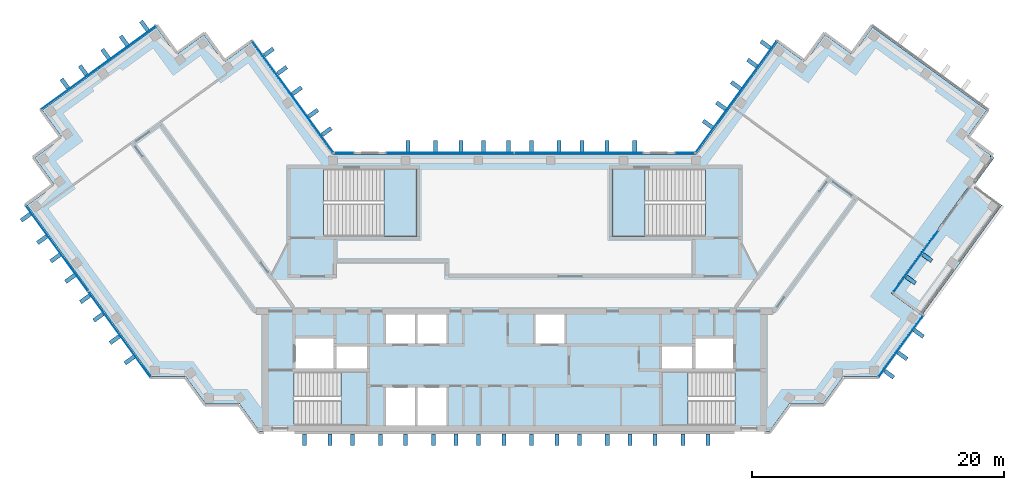
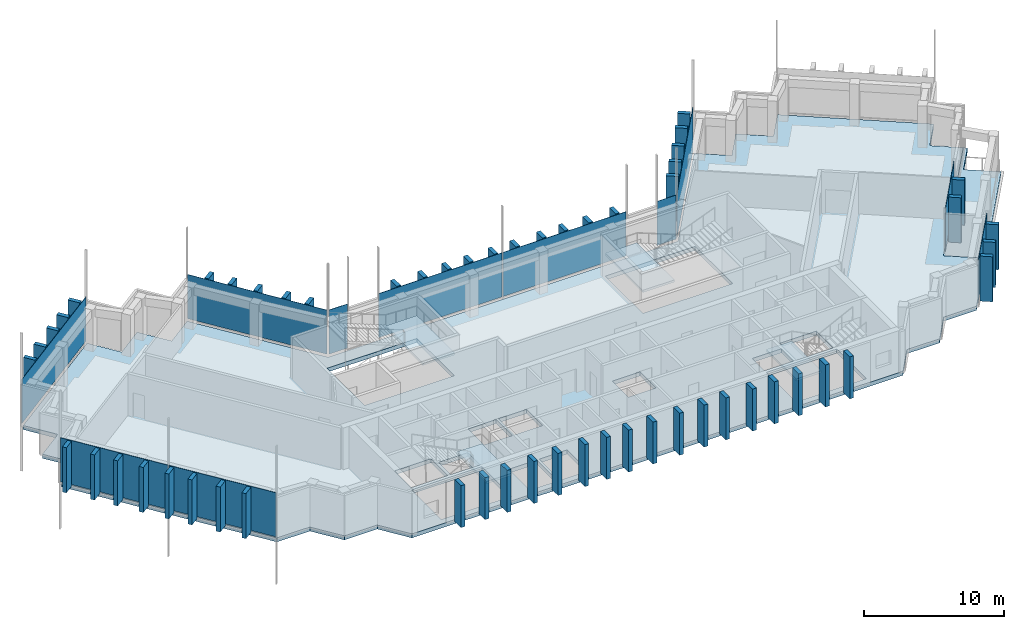
# One storey, part 7 of 14: 66 plates, 6 slabs, 13 elements without a shape of their own.
"""IFC4 building model written with IfcOpenShell, lengths in metres."""

from ifc_helpers import new_model, si_unit, direction, frame, origin, origin_2d, place, context, subcontext, project, spatial, polyline, rectangle, outline, extrude, material, layer, layer_set, type_object, element, aggregate, save


model = new_model("IFC4")

# Units and contexts
model_context = context("Model", 3, precision=1e-05, world=origin(), true_north=direction((0.0, 1.0)))
body_context = subcontext(model_context, "Body", "Model", "MODEL_VIEW")
ifc_project = project(units=[si_unit("LENGTHUNIT", "METRE"), si_unit("AREAUNIT", "SQUARE_METRE"), si_unit("VOLUMEUNIT", "CUBIC_METRE"), si_unit("PLANEANGLEUNIT", "RADIAN"), si_unit("MASSUNIT", "GRAM", prefix="KILO")], contexts=[model_context])

# Site, building, storey
site_placement = place(None, origin())
site = spatial("IfcSite", under=ifc_project, at=site_placement, CompositionType="ELEMENT")
building_placement = place(site_placement, origin())
building = spatial("IfcBuilding", under=site, at=building_placement, Name="Quipu Civic Tower", CompositionType="ELEMENT")
storey_placement = place(building_placement, frame((0.0, 0.0, 311.0)))
storey = spatial("IfcBuildingStorey", under=building, at=storey_placement, Name="L72", CompositionType="ELEMENT", Elevation=311.0)

# Slab
ifc_material_1 = material(Name="Concrete C40/50", Category="concrete")
ifc_layer_1 = layer(ifc_material_1, 0.35009765625)
ifc_layer_set_1 = layer_set([ifc_layer_1], Name="Concrete C40/50")
slab_type_1 = type_object("IfcSlabType", Name="Floor slab 350 C40/50", PredefinedType="FLOOR", material=ifc_layer_set_1)
slab_1_placement = place(storey_placement, frame((0.0, 0.0, -0.35009765625)))
element("IfcSlab", 1, at=slab_1_placement, inside=storey, type_object=slab_type_1, Name="Floor slab L72", PredefinedType="FLOOR", context=body_context, shape_type="SweptSolid", body=[
    extrude(outline(polyline([(24.489990234375, -8.81494140625), (21.7900390625, -8.81494140625), (20.205078125, -11.0), (-20.205078125, -11.0), (-21.7900390625, -8.81494140625), (-24.489990234375, -8.81494140625), (-26.080078125, -6.6298828125), (-28.780029296875, -6.6298828125), (-38.655029296875, 6.965087890625), (-36.469970703125, 8.550048828125), (-38.06005859375, 10.735107421875), (-35.875, 12.320068359375), (-37.4599609375, 14.5048828125), (-28.39990234375, 21.090087890625), (-26.81494140625, 18.905029296875), (-24.6298828125, 20.4951171875), (-23.0400390625, 18.31005859375), (-20.860107421875, 19.89501953125), (-14.39501953125, 11.0), (14.39501953125, 11.0), (20.860107421875, 19.89501953125), (23.0400390625, 18.31005859375), (24.6298828125, 20.4951171875), (26.81494140625, 18.905029296875), (28.39990234375, 21.090087890625), (37.4599609375, 14.5048828125), (35.875, 12.320068359375), (37.81494140625, 10.909912109375), (29.8798828125, -0.010009765625), (32.31005859375, -1.77490234375), (28.780029296875, -6.6298828125), (26.080078125, -6.6298828125), (24.489990234375, -8.81494140625)]), holes=[polyline([(-10.199951171875, -10.5), (-7.89990234375, -10.5), (-7.89990234375, -7.5), (-10.199951171875, -7.5), (-10.199951171875, -10.5)]), polyline([(-7.699951171875, -7.5), (-7.699951171875, -10.5), (-5.39990234375, -10.5), (-5.39990234375, -7.5), (-7.699951171875, -7.5)]), polyline([(-11.705078125, -6.2548828125), (-17.4951171875, -6.2548828125), (-17.4951171875, -10.4951171875), (-11.705078125, -10.4951171875), (-11.705078125, -6.2548828125)]), polyline([(-14.10009765625, -6.0), (-11.699951171875, -6.0), (-11.699951171875, -4.25), (-14.10009765625, -4.25), (-14.10009765625, -6.0)]), polyline([(-17.35009765625, -3.60009765625), (-17.35009765625, -6.0), (-14.35009765625, -6.0), (-14.35009765625, -3.60009765625), (-17.35009765625, -3.60009765625)]), polyline([(-10.199951171875, -1.699951171875), (-10.199951171875, -4.0), (-7.89990234375, -4.0), (-7.89990234375, -1.699951171875), (-10.199951171875, -1.699951171875)]), polyline([(-15.14501953125, 9.844970703125), (-15.14501953125, 4.5048828125), (-7.7548828125, 4.5048828125), (-7.7548828125, 9.844970703125), (-15.14501953125, 9.844970703125)]), polyline([(11.705078125, -10.4951171875), (17.4951171875, -10.4951171875), (17.4951171875, -6.2548828125), (11.705078125, -6.2548828125), (11.705078125, -10.4951171875)]), polyline([(11.699951171875, -4.25), (11.699951171875, -6.0), (14.10009765625, -6.0), (14.10009765625, -4.25), (11.699951171875, -4.25)]), polyline([(14.35009765625, -3.60009765625), (14.35009765625, -6.0), (17.35009765625, -6.0), (17.35009765625, -3.60009765625), (14.35009765625, -3.60009765625)]), polyline([(-7.699951171875, -1.699951171875), (-7.699951171875, -4.0), (-5.39990234375, -4.0), (-5.39990234375, -1.699951171875), (-7.699951171875, -1.699951171875)]), polyline([(1.64990234375, -1.699951171875), (1.64990234375, -4.0), (3.949951171875, -4.0), (3.949951171875, -1.699951171875), (1.64990234375, -1.699951171875)]), polyline([(7.7548828125, 4.5048828125), (15.14501953125, 4.5048828125), (15.14501953125, 9.844970703125), (7.7548828125, 9.844970703125), (7.7548828125, 4.5048828125)])]), origin(), (0.0, 0.0, 1.0), 0.35009765625),
])

# Curtain wall, plate
ifc_material_2 = material(Name="Insulated glass unit", Category="glass")
curtain_wall_type = type_object("IfcCurtainWallType", Name="Office curtain wall CW1", PredefinedType="NOTDEFINED", material=ifc_material_2)
curtain_wall_1_placement = place(storey_placement, origin())
curtain_wall_1 = element("IfcCurtainWall", 2, at=curtain_wall_1_placement, inside=storey, type_object=curtain_wall_type, Name="Office curtain wall CW1 L72 run 1", PredefinedType="NOTDEFINED")
ifc_material_3 = material(Name="Insulated glass unit", Category="glass")
ifc_layer_2 = layer(ifc_material_3, 0.028076171875)
ifc_layer_set_2 = layer_set([ifc_layer_2], Name="Insulated glass unit")
plate_type_1 = type_object("IfcPlateType", Name="Glass panel CW1", PredefinedType="CURTAIN_PANEL", material=ifc_layer_set_2)
plate_1_placement = place(storey_placement, frame((30.638916015625, -4.2412109375, 0.240234375), z_axis=(0.0, 0.0, 1.0), x_axis=(0.587779463525, 0.809021200129, 0.0)))
plate_1 = element("IfcPlate", 3, at=plate_1_placement, type_object=plate_type_1, Name="CW1 panel 1.1", PredefinedType="CURTAIN_PANEL", context=body_context, shape_type="SweptSolid", body=[
    extrude(rectangle(XDim=5.99560546875, YDim=0.028076171875, at=origin_2d()), origin(), (0.0, 0.0, 1.0), 3.679931640625),
])
aggregate(curtain_wall_1, [plate_1])

curtain_wall_2_placement = place(storey_placement, origin())
curtain_wall_2 = element("IfcCurtainWall", 4, at=curtain_wall_2_placement, inside=storey, type_object=curtain_wall_type, Name="Office curtain wall CW1 L72 run 3", PredefinedType="NOTDEFINED")
plate_2_placement = place(storey_placement, frame((31.843017578125, 2.519775390625, 0.240234375), z_axis=(0.0, 0.0, 1.0), x_axis=(0.587787992023, 0.809015003837, 0.0)))
plate_2 = element("IfcPlate", 5, at=plate_2_placement, type_object=plate_type_1, Name="CW1 panel 1.1", PredefinedType="CURTAIN_PANEL", context=body_context, shape_type="SweptSolid", body=[
    extrude(rectangle(XDim=6.03955078125, YDim=0.028076171875, at=origin_2d()), origin(), (0.0, 0.0, 1.0), 3.679931640625),
])
aggregate(curtain_wall_2, [plate_2])

curtain_wall_3_placement = place(storey_placement, origin())
curtain_wall_3 = element("IfcCurtainWall", 6, at=curtain_wall_3_placement, inside=storey, type_object=curtain_wall_type, Name="Office curtain wall CW1 L71 run 11", PredefinedType="NOTDEFINED")
plate_3_placement = place(storey_placement, frame((17.590087890625, 15.5673828125, 0.16015625), z_axis=(0.0, 0.0, 1.0), x_axis=(-0.587787771652, -0.809015163947, 0.0)))
plate_3 = element("IfcPlate", 7, at=plate_3_placement, type_object=plate_type_1, Name="CW1 panel 1.2", PredefinedType="CURTAIN_PANEL", context=body_context, shape_type="SweptSolid", body=[
    extrude(rectangle(XDim=10.88427734375, YDim=0.028076171875, at=origin_2d()), origin(), (0.0, 0.0, 1.0), 3.840087890625),
])
aggregate(curtain_wall_3, [plate_3])

curtain_wall_4_placement = place(storey_placement, origin())
curtain_wall_4 = element("IfcCurtainWall", 8, at=curtain_wall_4_placement, inside=storey, type_object=curtain_wall_type, Name="Office curtain wall CW1 L71 run 12", PredefinedType="NOTDEFINED")
plate_4_placement = place(storey_placement, frame((13.49951171875, 11.10009765625, 0.16015625), z_axis=(0.0, 0.0, 1.0), x_axis=(-1.0, 0.0, 0.0)))
plate_4 = element("IfcPlate", 9, at=plate_4_placement, type_object=plate_type_1, Name="CW1 panel 1.2", PredefinedType="CURTAIN_PANEL", context=body_context, shape_type="SweptSolid", body=[
    extrude(rectangle(XDim=1.529296875, YDim=0.028076171875, at=origin_2d()), origin(), (0.0, 0.0, 1.0), 3.840087890625),
])
aggregate(curtain_wall_4, [plate_4])

# Curtain wall, plates
curtain_wall_5_placement = place(storey_placement, origin())
curtain_wall_5 = element("IfcCurtainWall", 10, at=curtain_wall_5_placement, inside=storey, type_object=curtain_wall_type, Name="Office curtain wall CW1 L71 run 14", PredefinedType="NOTDEFINED")
plate_5_placement = place(storey_placement, frame((5.11181640625, 11.10009765625, 0.16015625), z_axis=(0.0, 0.0, 1.0), x_axis=(-1.0, 0.0, 0.0)))
plate_5 = element("IfcPlate", 11, at=plate_5_placement, type_object=plate_type_1, Name="CW1 panel 1.2", PredefinedType="CURTAIN_PANEL", context=body_context, shape_type="SweptSolid", body=[
    extrude(rectangle(XDim=10.1435546875, YDim=0.028076171875, at=origin_2d()), origin(), (0.0, 0.0, 1.0), 3.840087890625),
])
plate_6_placement = place(storey_placement, frame((-5.11181640625, 11.10009765625, 0.16015625), z_axis=(0.0, 0.0, 1.0), x_axis=(-1.0, 0.0, 0.0)))
plate_6 = element("IfcPlate", 12, at=plate_6_placement, type_object=plate_type_1, Name="CW1 panel 2.2", PredefinedType="CURTAIN_PANEL", context=body_context, shape_type="SweptSolid", body=[
    extrude(rectangle(XDim=10.1435546875, YDim=0.028076171875, at=origin_2d()), origin(), (0.0, 0.0, 1.0), 3.840087890625),
])
aggregate(curtain_wall_5, [plate_5, plate_6])

# Curtain wall, plate
curtain_wall_6_placement = place(storey_placement, origin())
curtain_wall_6 = element("IfcCurtainWall", 13, at=curtain_wall_6_placement, inside=storey, type_object=curtain_wall_type, Name="Office curtain wall CW1 L71 run 16", PredefinedType="NOTDEFINED")
plate_7_placement = place(storey_placement, frame((-13.49951171875, 11.10009765625, 0.16015625), z_axis=(0.0, 0.0, 1.0), x_axis=(-1.0, 0.0, 0.0)))
plate_7 = element("IfcPlate", 14, at=plate_7_placement, type_object=plate_type_1, Name="CW1 panel 1.2", PredefinedType="CURTAIN_PANEL", context=body_context, shape_type="SweptSolid", body=[
    extrude(rectangle(XDim=1.529296875, YDim=0.028076171875, at=origin_2d()), origin(), (0.0, 0.0, 1.0), 3.840087890625),
])
aggregate(curtain_wall_6, [plate_7])

curtain_wall_7_placement = place(storey_placement, origin())
curtain_wall_7 = element("IfcCurtainWall", 15, at=curtain_wall_7_placement, inside=storey, type_object=curtain_wall_type, Name="Office curtain wall CW1 L71 run 17", PredefinedType="NOTDEFINED")
plate_8_placement = place(storey_placement, frame((-17.590087890625, 15.5673828125, 0.16015625), z_axis=(0.0, 0.0, 1.0), x_axis=(-0.587787771652, 0.809015163947, 0.0)))
plate_8 = element("IfcPlate", 16, at=plate_8_placement, type_object=plate_type_1, Name="CW1 panel 1.2", PredefinedType="CURTAIN_PANEL", context=body_context, shape_type="SweptSolid", body=[
    extrude(rectangle(XDim=10.88427734375, YDim=0.028076171875, at=origin_2d()), origin(), (0.0, 0.0, 1.0), 3.840087890625),
])
aggregate(curtain_wall_7, [plate_8])

curtain_wall_8_placement = place(storey_placement, origin())
curtain_wall_8 = element("IfcCurtainWall", 17, at=curtain_wall_8_placement, inside=storey, type_object=curtain_wall_type, Name="Office curtain wall CW1 L71 run 22", PredefinedType="NOTDEFINED")
plate_9_placement = place(storey_placement, frame((-32.989990234375, 17.87939453125, 0.16015625), z_axis=(0.0, 0.0, 1.0), x_axis=(-0.809015176832, -0.587787753918, 0.0)))
plate_9 = element("IfcPlate", 18, at=plate_9_placement, type_object=plate_type_1, Name="CW1 panel 1.2", PredefinedType="CURTAIN_PANEL", context=body_context, shape_type="SweptSolid", body=[
    extrude(rectangle(XDim=11.239990234375, YDim=0.028076171875, at=origin_2d()), origin(), (0.0, 0.0, 1.0), 3.840087890625),
])
aggregate(curtain_wall_8, [plate_9])

# Curtain wall, plates
curtain_wall_9_placement = place(storey_placement, origin())
curtain_wall_9 = element("IfcCurtainWall", 19, at=curtain_wall_9_placement, inside=storey, type_object=curtain_wall_type, Name="Office curtain wall CW1 L71 run 27", PredefinedType="NOTDEFINED")
plate_10_placement = place(storey_placement, frame((-36.292724609375, 3.54052734375, 0.16015625), z_axis=(0.0, 0.0, 1.0), x_axis=(0.587786237643, -0.809016278475, 0.0)))
plate_10 = element("IfcPlate", 20, at=plate_10_placement, type_object=plate_type_1, Name="CW1 panel 1.2", PredefinedType="CURTAIN_PANEL", context=body_context, shape_type="SweptSolid", body=[
    extrude(rectangle(XDim=8.35791015625, YDim=0.028076171875, at=origin_2d()), origin(), (0.0, 0.0, 1.0), 3.840087890625),
])
plate_11_placement = place(storey_placement, frame((-31.333251953125, -3.285888671875, 0.16015625), z_axis=(0.0, 0.0, 1.0), x_axis=(0.587786237643, -0.809016278475, 0.0)))
plate_11 = element("IfcPlate", 21, at=plate_11_placement, type_object=plate_type_1, Name="CW1 panel 2.2", PredefinedType="CURTAIN_PANEL", context=body_context, shape_type="SweptSolid", body=[
    extrude(rectangle(XDim=8.35791015625, YDim=0.028076171875, at=origin_2d()), origin(), (0.0, 0.0, 1.0), 3.840087890625),
])
aggregate(curtain_wall_9, [plate_10, plate_11])

# Plates
ifc_material_4 = material(Name="Precast concrete C40/50", Category="concrete")
plate_type_2 = type_object("IfcPlateType", Name="Precast fin F3", PredefinedType="SHEET", material=ifc_material_4)
for number, where, z_axis, x_axis, name in (
    (22, (29.721923828125, -6.43896484375, 0.080078125), (0.0, 0.0, 1.0), (0.587780499868, 0.809020447192, 0.0), "Precast fin F3 L72.1.1"),
    (23, (30.780029296875, -4.982666015625, 0.080078125), (0.0, 0.0, 1.0), (0.587780499868, 0.809020447192, 0.0), "Precast fin F3 L72.1.2"),
    (24, (32.072998046875, -3.202880859375, 0.080078125), (0.0, 0.0, 1.0), (0.587780499868, 0.809020447192, 0.0), "Precast fin F3 L72.1.3"),
    (25, (31.441650390625, 1.03173828125, 0.080078125), (0.0, 0.0, 1.0), (0.587786244816, 0.809016273264, 0.0), "Precast fin F3 L72.3.1"),
    (26, (32.73486328125, 2.8115234375, 0.080078125), (0.0, 0.0, 1.0), (0.587786244816, 0.809016273264, 0.0), "Precast fin F3 L72.3.2"),
    (27, (19.914794921875, 19.702880859375, 0.080078125), (0.0, 0.0, 1.0), (-0.58778443384, -0.809017589015, 0.0), "Precast fin F3 L72.P07.1"),
    (28, (18.856689453125, 18.246826171875, 0.080078125), (0.0, 0.0, 1.0), (-0.58778443384, -0.809017589015, 0.0), "Precast fin F3 L72.P07.2"),
    (29, (17.563720703125, 16.466796875, 0.080078125), (0.0, 0.0, 1.0), (-0.58778443384, -0.809017589015, 0.0), "Precast fin F3 L72.P07.3"),
    (30, (16.38818359375, 14.848876953125, 0.080078125), (0.0, 0.0, 1.0), (-0.58778443384, -0.809017589015, 0.0), "Precast fin F3 L72.P07.4"),
    (31, (15.330078125, 13.392578125, 0.080078125), (0.0, 0.0, 1.0), (-0.58778443384, -0.809017589015, 0.0), "Precast fin F3 L72.P07.5"),
    (32, (9.5400390625, 11.64990234375, 0.080078125), (0.0, 0.0, 1.0), (-1.0, 0.0, 0.0), "Precast fin F3 L72.P10.1"),
    (33, (7.340087890625, 11.64990234375, 0.080078125), (0.0, 0.0, 1.0), (-1.0, 0.0, 0.0), "Precast fin F3 L72.P10.2"),
    (34, (5.340087890625, 11.64990234375, 0.080078125), (0.0, 0.0, 1.0), (-1.0, 0.0, 0.0), "Precast fin F3 L72.P10.3"),
    (35, (3.5400390625, 11.64990234375, 0.080078125), (0.0, 0.0, 1.0), (-1.0, 0.0, 0.0), "Precast fin F3 L72.P10.4"),
    (36, (1.340087890625, 11.64990234375, 0.080078125), (0.0, 0.0, 1.0), (-1.0, 0.0, 0.0), "Precast fin F3 L72.P10.5"),
    (37, (-0.4599609375, 11.64990234375, 0.080078125), (0.0, 0.0, 1.0), (-1.0, 0.0, 0.0), "Precast fin F3 L72.P10.6"),
    (38, (-2.4599609375, 11.64990234375, 0.080078125), (0.0, 0.0, 1.0), (-1.0, 0.0, 0.0), "Precast fin F3 L72.P10.7"),
    (39, (-4.260009765625, 11.64990234375, 0.080078125), (0.0, 0.0, 1.0), (-1.0, 0.0, 0.0), "Precast fin F3 L72.P10.8"),
    (40, (-6.260009765625, 11.64990234375, 0.080078125), (0.0, 0.0, 1.0), (-1.0, 0.0, 0.0), "Precast fin F3 L72.P10.9"),
    (41, (-8.4599609375, 11.64990234375, 0.080078125), (0.0, 0.0, 1.0), (-1.0, 0.0, 0.0), "Precast fin F3 L72.P10.10"),
    (42, (-14.90380859375, 12.805908203125, 0.080078125), (0.0, 0.0, 1.0), (-0.58778443384, 0.809017589015, 0.0), "Precast fin F3 L72.P13.1"),
    (43, (-15.9619140625, 14.26220703125, 0.080078125), (0.0, 0.0, 1.0), (-0.58778443384, 0.809017589015, 0.0), "Precast fin F3 L72.P13.2"),
    (44, (-17.2548828125, 16.0419921875, 0.080078125), (0.0, 0.0, 1.0), (-0.58778443384, 0.809017589015, 0.0), "Precast fin F3 L72.P13.3"),
    (45, (-18.4306640625, 17.66015625, 0.080078125), (0.0, 0.0, 1.0), (-0.58778443384, 0.809017589015, 0.0), "Precast fin F3 L72.P13.4"),
    (46, (-19.488525390625, 19.1162109375, 0.080078125), (0.0, 0.0, 1.0), (-0.58778443384, 0.809017589015, 0.0), "Precast fin F3 L72.P13.5"),
    (47, (-29.357177734375, 21.198486328125, 0.080078125), (0.0, 0.0, 1.0), (-0.809017072762, -0.587785144401, 0.0), "Precast fin F3 L72.P18.1"),
    (48, (-30.975341796875, 20.02294921875, 0.080078125), (0.0, 0.0, 1.0), (-0.809017072762, -0.587785144401, 0.0), "Precast fin F3 L72.P18.2"),
    (49, (-32.431640625, 18.96484375, 0.080078125), (0.0, 0.0, 1.0), (-0.809017072762, -0.587785144401, 0.0), "Precast fin F3 L72.P18.3"),
    (50, (-34.21142578125, 17.671875, 0.080078125), (0.0, 0.0, 1.0), (-0.809017072762, -0.587785144401, 0.0), "Precast fin F3 L72.P18.4"),
    (51, (-35.66748046875, 16.61376953125, 0.080078125), (0.0, 0.0, 1.0), (-0.809017072762, -0.587785144401, 0.0), "Precast fin F3 L72.P18.5"),
    (52, (-38.764892578125, 6.007568359375, 0.080078125), (0.0, 0.0, 1.0), (0.587786668783, -0.809015965233, 0.0), "Precast fin F3 L72.P23.1"),
    (53, (-37.4716796875, 4.227783203125, 0.080078125), (0.0, 0.0, 1.0), (0.587786668783, -0.809015965233, 0.0), "Precast fin F3 L72.P23.2"),
    (54, (-36.413818359375, 2.771484375, 0.080078125), (0.0, 0.0, 1.0), (0.587786668783, -0.809015965233, 0.0), "Precast fin F3 L72.P23.3"),
    (55, (-35.23828125, 1.1533203125, 0.080078125), (0.0, 0.0, 1.0), (0.587786668783, -0.809015965233, 0.0), "Precast fin F3 L72.P23.4"),
    (56, (-34.062744140625, -0.464599609375, 0.080078125), (0.0, 0.0, 1.0), (0.587786668783, -0.809015965233, 0.0), "Precast fin F3 L72.P23.5"),
    (57, (-33.004638671875, -1.9208984375, 0.080078125), (0.0, 0.0, 1.0), (0.587786668783, -0.809015965233, 0.0), "Precast fin F3 L72.P23.6"),
    (58, (-31.71142578125, -3.70068359375, 0.080078125), (0.0, 0.0, 1.0), (0.587786668783, -0.809015965233, 0.0), "Precast fin F3 L72.P23.7"),
    (59, (-30.535888671875, -5.318603515625, 0.080078125), (0.0, 0.0, 1.0), (0.587786668783, -0.809015965233, 0.0), "Precast fin F3 L72.P23.8"),
):
    element("IfcPlate", number, at=place(storey_placement, frame(where, z_axis=z_axis, x_axis=x_axis)), inside=storey, type_object=plate_type_2, Name=name, PredefinedType="SHEET", context=body_context, shape_type="SweptSolid", body=[
        extrude(rectangle(XDim=0.320068359375, YDim=0.89990234375, at=origin_2d()), origin(), (0.0, 0.0, 1.0), 3.919921875),
    ])
for number, where, z_axis, x_axis, name in (
    (60, (-16.639892578125, -11.637939453125, 0.0), (0.0, 0.0, 1.0), (1.0, 0.0, 0.0), "Precast fin F3 L72.P30.1"),
    (61, (-14.639892578125, -11.637939453125, 0.0), (0.0, 0.0, 1.0), (1.0, 0.0, 0.0), "Precast fin F3 L72.P30.2"),
    (62, (-12.840087890625, -11.637939453125, 0.0), (0.0, 0.0, 1.0), (1.0, 0.0, 0.0), "Precast fin F3 L72.P30.3"),
    (63, (-10.639892578125, -11.637939453125, 0.0), (0.0, 0.0, 1.0), (1.0, 0.0, 0.0), "Precast fin F3 L72.P30.4"),
    (64, (-8.639892578125, -11.637939453125, 0.0), (0.0, 0.0, 1.0), (1.0, 0.0, 0.0), "Precast fin F3 L72.P30.5"),
    (65, (-6.43994140625, -11.637939453125, 0.0), (0.0, 0.0, 1.0), (1.0, 0.0, 0.0), "Precast fin F3 L72.P30.6"),
    (66, (-4.639892578125, -11.637939453125, 0.0), (0.0, 0.0, 1.0), (1.0, 0.0, 0.0), "Precast fin F3 L72.P30.7"),
    (67, (-2.840087890625, -11.637939453125, 0.0), (0.0, 0.0, 1.0), (1.0, 0.0, 0.0), "Precast fin F3 L72.P30.8"),
    (68, (-0.840087890625, -11.637939453125, 0.0), (0.0, 0.0, 1.0), (1.0, 0.0, 0.0), "Precast fin F3 L72.P30.9"),
    (69, (1.360107421875, -11.637939453125, 0.0), (0.0, 0.0, 1.0), (1.0, 0.0, 0.0), "Precast fin F3 L72.P30.10"),
    (70, (3.360107421875, -11.637939453125, 0.0), (0.0, 0.0, 1.0), (1.0, 0.0, 0.0), "Precast fin F3 L72.P30.11"),
    (71, (5.159912109375, -11.637939453125, 0.0), (0.0, 0.0, 1.0), (1.0, 0.0, 0.0), "Precast fin F3 L72.P30.12"),
    (72, (7.360107421875, -11.637939453125, 0.0), (0.0, 0.0, 1.0), (1.0, 0.0, 0.0), "Precast fin F3 L72.P30.13"),
    (73, (9.159912109375, -11.637939453125, 0.0), (0.0, 0.0, 1.0), (1.0, 0.0, 0.0), "Precast fin F3 L72.P30.14"),
    (74, (11.159912109375, -11.637939453125, 0.0), (0.0, 0.0, 1.0), (1.0, 0.0, 0.0), "Precast fin F3 L72.P30.15"),
    (75, (13.360107421875, -11.637939453125, 0.0), (0.0, 0.0, 1.0), (1.0, 0.0, 0.0), "Precast fin F3 L72.P30.16"),
    (76, (15.360107421875, -11.637939453125, 0.0), (0.0, 0.0, 1.0), (1.0, 0.0, 0.0), "Precast fin F3 L72.P30.17"),
):
    element("IfcPlate", number, at=place(storey_placement, frame(where, z_axis=z_axis, x_axis=x_axis)), inside=storey, type_object=plate_type_2, Name=name, PredefinedType="SHEET", context=body_context, shape_type="SweptSolid", body=[
        extrude(rectangle(XDim=0.320068359375, YDim=0.89990234375, at=origin_2d()), origin(), (0.0, 0.0, 1.0), 3.64990234375),
    ])

# Stair, slab
ifc_material_5 = material(Name="Concrete C40/50", Category="concrete")
stair_type_1 = type_object("IfcStairType", Name="Half turn stair 2000", PredefinedType="HALF_TURN_STAIR", material=ifc_material_5)
stair_1_placement = place(storey_placement, origin())
stair_1 = element("IfcStair", 77, at=stair_1_placement, inside=storey, type_object=stair_type_1, Name="Exit stair 1", PredefinedType="HALF_TURN_STAIR")
ifc_material_6 = material(Name="Concrete C40/50", Category="concrete")
ifc_layer_3 = layer(ifc_material_6, 0.199951171875)
ifc_layer_set_3 = layer_set([ifc_layer_3], Name="Concrete C40/50")
slab_type_2 = type_object("IfcSlabType", Name="Stair landing 200", PredefinedType="LANDING", material=ifc_layer_set_3)
slab_2_placement = place(storey_placement, frame((0.0, 0.0, 1.800048828125)))
slab_2 = element("IfcSlab", 78, at=slab_2_placement, type_object=slab_type_2, Name="ST-1 landing 1", PredefinedType="LANDING", context=body_context, shape_type="SweptSolid", body=[
    extrude(outline(polyline([(-13.780029296875, -10.5), (-11.699951171875, -10.5), (-11.699951171875, -6.25), (-13.780029296875, -6.25), (-13.780029296875, -10.5)])), origin(), (0.0, 0.0, 1.0), 0.199951171875),
])
aggregate(stair_1, [slab_2])

stair_2_placement = place(storey_placement, origin())
stair_2 = element("IfcStair", 79, at=stair_2_placement, inside=storey, type_object=stair_type_1, Name="Exit stair 2", PredefinedType="HALF_TURN_STAIR")
slab_3_placement = place(storey_placement, frame((0.0, 0.0, 1.800048828125)))
slab_3 = element("IfcSlab", 80, at=slab_3_placement, type_object=slab_type_2, Name="ST-2 landing 1", PredefinedType="LANDING", context=body_context, shape_type="SweptSolid", body=[
    extrude(outline(polyline([(13.780029296875, -6.25), (11.699951171875, -6.25), (11.699951171875, -10.5), (13.780029296875, -10.5), (13.780029296875, -6.25)])), origin(), (0.0, 0.0, 1.0), 0.199951171875),
])
aggregate(stair_2, [slab_3])

ifc_material_7 = material(Name="Concrete C40/50", Category="concrete")
stair_type_2 = type_object("IfcStairType", Name="Half turn stair 2600", PredefinedType="HALF_TURN_STAIR", material=ifc_material_7)
stair_3_placement = place(storey_placement, origin())
stair_3 = element("IfcStair", 81, at=stair_3_placement, inside=storey, type_object=stair_type_2, Name="Exit stair 3", PredefinedType="HALF_TURN_STAIR")
slab_4_placement = place(storey_placement, frame((0.0, 0.0, 1.800048828125)))
slab_4 = element("IfcSlab", 82, at=slab_4_placement, type_object=slab_type_2, Name="ST-3 landing 1", PredefinedType="LANDING", context=body_context, shape_type="SweptSolid", body=[
    extrude(outline(polyline([(-10.35009765625, 4.5), (-7.75, 4.5), (-7.75, 9.85009765625), (-10.35009765625, 9.85009765625), (-10.35009765625, 4.5)])), origin(), (0.0, 0.0, 1.0), 0.199951171875),
])
aggregate(stair_3, [slab_4])

stair_4_placement = place(storey_placement, origin())
stair_4 = element("IfcStair", 83, at=stair_4_placement, inside=storey, type_object=stair_type_2, Name="Exit stair 4", PredefinedType="HALF_TURN_STAIR")
slab_5_placement = place(storey_placement, frame((0.0, 0.0, 1.800048828125)))
slab_5 = element("IfcSlab", 84, at=slab_5_placement, type_object=slab_type_2, Name="ST-4 landing 1", PredefinedType="LANDING", context=body_context, shape_type="SweptSolid", body=[
    extrude(outline(polyline([(10.35009765625, 9.85009765625), (7.75, 9.85009765625), (7.75, 4.5), (10.35009765625, 4.5), (10.35009765625, 9.85009765625)])), origin(), (0.0, 0.0, 1.0), 0.199951171875),
])
aggregate(stair_4, [slab_5])

# Slab
ifc_material_8 = material(Name="Concrete C40/50", Category="concrete")
ifc_layer_4 = layer(ifc_material_8, 0.35009765625)
ifc_layer_set_4 = layer_set([ifc_layer_4], Name="Concrete C40/50")
slab_type_3 = type_object("IfcSlabType", Name="Terrace slab 350 C40/50", PredefinedType="FLOOR", material=ifc_layer_set_4)
slab_6_placement = place(storey_placement, frame((0.0, 0.0, -0.35009765625)))
element("IfcSlab", 85, at=slab_6_placement, inside=storey, type_object=slab_type_3, Name="Terrace slab L72", PredefinedType="FLOOR", context=body_context, shape_type="SweptSolid", body=[
    extrude(outline(polyline([(38.06005859375, 10.735107421875), (36.469970703125, 8.550048828125), (38.655029296875, 6.965087890625), (32.31005859375, -1.77490234375), (29.8798828125, -0.010009765625), (37.81494140625, 10.909912109375), (38.06005859375, 10.735107421875)])), origin(), (0.0, 0.0, 1.0), 0.35009765625),
])

save(model, "model.ifc")
